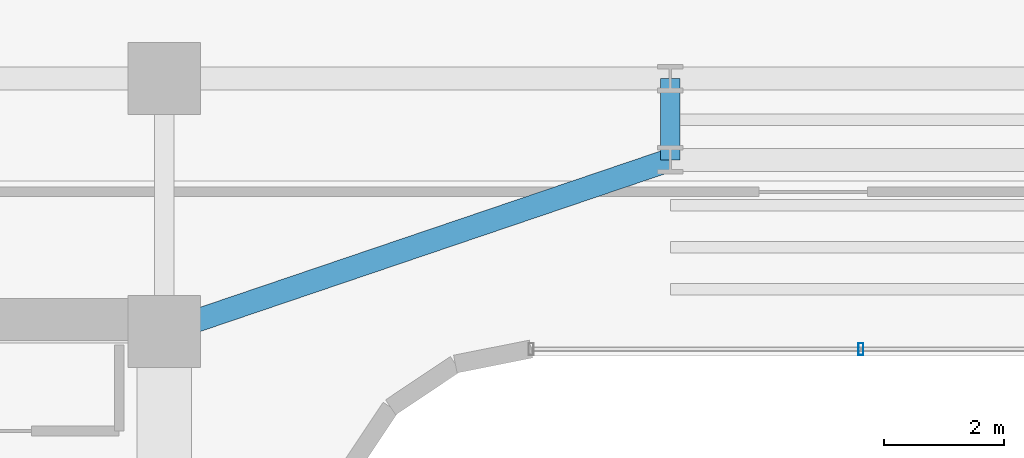
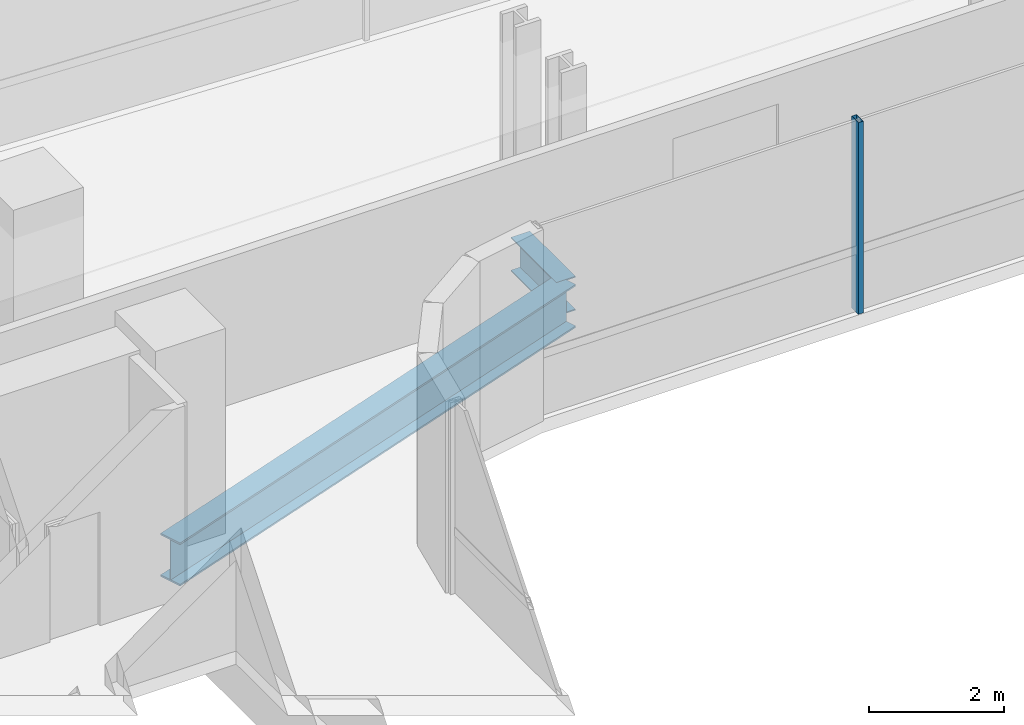
# One storey, part 11 of 35: 2 beams, 1 member, 1 element without a shape of its own.
"""IFC4 building model written with IfcOpenShell, lengths in metres."""

from ifc_helpers import new_model, si_unit, direction, frame, origin, origin_2d, place, context, subcontext, project, spatial, hollow_rectangle, i_section, extrude, source, transform, mapped, material, material_profile, profile_set, type_object, element, aggregate, save


model = new_model("IFC4")

# Units and contexts
model_context = context("Model", 3, precision=1e-05, world=origin(), true_north=direction((0.0, 1.0)))
body_context = subcontext(model_context, "Body", "Model", "MODEL_VIEW")
ifc_project = project(units=[si_unit("LENGTHUNIT", "METRE"), si_unit("AREAUNIT", "SQUARE_METRE"), si_unit("VOLUMEUNIT", "CUBIC_METRE"), si_unit("PLANEANGLEUNIT", "RADIAN"), si_unit("MASSUNIT", "GRAM", prefix="KILO")], contexts=[model_context])

# Site, building, storey
site_placement = place(None, origin())
site = spatial("IfcSite", under=ifc_project, at=site_placement, CompositionType="ELEMENT")
building_placement = place(site_placement, origin())
building = spatial("IfcBuilding", under=site, at=building_placement, Name="Valdorenza Pilgrim Sanctuary Tower", CompositionType="ELEMENT")
storey_placement = place(building_placement, frame((0.0, 0.0, 150.10009765625)))
storey = spatial("IfcBuildingStorey", under=building, at=storey_placement, Name="L38", CompositionType="ELEMENT", Elevation=150.10009765625)

# Beams
ifc_material_1 = material(Name="Steel ASTM A992 Grade 50", Category="steel")
ifc_material_profile_1 = material_profile(ifc_material_1, i_section(OverallWidth=0.323974609375, OverallDepth=0.611083984375, WebThickness=0.0126953125, FlangeThickness=0.01904296875, at=origin_2d()), Name="W24X104")
ifc_profile_set_1 = profile_set([ifc_material_profile_1], Name="Steel ASTM A992 Grade 50")
beam_type_1 = type_object("IfcBeamType", Name="STR-BM-GRD-W24B", PredefinedType="BEAM", material=ifc_profile_set_1)
shared_shape_1 = source(origin(), body_context, "Body", "SweptSolid", [
    extrude(i_section(OverallWidth=0.323974609375, OverallDepth=0.611083984375, WebThickness=0.0126953125, FlangeThickness=0.01904296875, at=origin_2d()), origin(), (0.0, 0.0, 1.0), 1.35009765625),
])
beam_1_placement = place(storey_placement, frame((-4.0, 13.449951171875, -0.545654296875), z_axis=(0.0, 1.0, 0.0), x_axis=(-1.0, 0.0, 0.0)))
element("IfcBeam", 1, at=beam_1_placement, inside=storey, type_object=beam_type_1, Name="L38 Floor Girder KNK-TIE-W", PredefinedType="BEAM", context=body_context, shape_type="MappedRepresentation", body=[
    mapped(shared_shape_1, transform((0.0, 0.0, 0.0), x_axis=(1.0, 0.0, 0.0), y_axis=(0.0, 1.0, 0.0), z_axis=(0.0, 0.0, 1.0), scale=1.0)),
])
ifc_material_profile_2 = material_profile(ifc_material_1, i_section(OverallWidth=0.382080078125, OverallDepth=0.779052734375, WebThickness=0.01806640625, FlangeThickness=0.030029296875, at=origin_2d()), Name="W30X191")
ifc_profile_set_2 = profile_set([ifc_material_profile_2], Name="Steel ASTM A992 Grade 50")
beam_type_2 = type_object("IfcBeamType", Name="STR-BM-GRD-W30", PredefinedType="BEAM", material=ifc_profile_set_2)
shared_shape_2 = source(origin(), body_context, "Body", "SweptSolid", [
    extrude(i_section(OverallWidth=0.382080078125, OverallDepth=0.779052734375, WebThickness=0.01806640625, FlangeThickness=0.030029296875, at=origin_2d()), origin(), (0.0, 0.0, 1.0), 8.8701171875),
])
beam_2_placement = place(storey_placement, frame((-12.39990234375, 10.60009765625, -0.629638671875), z_axis=(0.946982588361, 0.321284885018, 0.0), x_axis=(-0.321284885018, 0.946982588361, 0.0)))
element("IfcBeam", 2, at=beam_2_placement, inside=storey, type_object=beam_type_2, Name="L38 Floor Girder KNK-G1", PredefinedType="BEAM", context=body_context, shape_type="MappedRepresentation", body=[
    mapped(shared_shape_2, transform((0.0, 0.0, 0.0), x_axis=(1.0, 0.0, 0.0), y_axis=(0.0, 1.0, 0.0), z_axis=(0.0, 0.0, 1.0), scale=1.0)),
])

# Curtain wall, member
ifc_material_2 = material(Name="Curtain-wall IGU glazing", Category="glass")
curtain_wall_type = type_object("IfcCurtainWallType", Name="CW-SYS-02", PredefinedType="NOTDEFINED", material=ifc_material_2)
curtain_wall_placement = place(storey_placement, origin())
curtain_wall = element("IfcCurtainWall", 3, at=curtain_wall_placement, inside=storey, type_object=curtain_wall_type, Name="L38 Curtain Wall CW-L38-1-36", PredefinedType="NOTDEFINED")
ifc_material_3 = material(Name="Anodised aluminium AW-6060", Category="aluminium")
ifc_material_profile_3 = material_profile(ifc_material_3, hollow_rectangle(XDim=0.0849609375, YDim=0.199951171875, WallThickness=0.0048828125, at=origin_2d()), Name="ALU-M 200x85x5")
ifc_profile_set_3 = profile_set([ifc_material_profile_3], Name="Anodised aluminium AW-6060")
member_type = type_object("IfcMemberType", Name="CW-MUL-02", PredefinedType="MULLION", material=ifc_profile_set_3)
shared_shape_3 = source(origin(), body_context, "Body", "SweptSolid", [
    extrude(hollow_rectangle(XDim=0.0849609375, YDim=0.199951171875, WallThickness=0.0048828125, at=origin_2d()), origin(), (0.0, 0.0, 1.0), 3.4599609375),
])
member_placement = place(storey_placement, frame((-0.8369140625, 10.31005859375, 0.0), z_axis=(0.0, 0.0, 1.0), x_axis=(-1.0, 0.0, 0.0)))
member = element("IfcMember", 4, at=member_placement, type_object=member_type, Name="CW-L38-1-36 Mullion 3", PredefinedType="MULLION", context=body_context, shape_type="MappedRepresentation", body=[
    mapped(shared_shape_3, transform((0.0, 0.0, 0.0), x_axis=(1.0, 0.0, 0.0), y_axis=(0.0, 1.0, 0.0), z_axis=(0.0, 0.0, 1.0), scale=1.0)),
])
aggregate(curtain_wall, [member])

save(model, "model.ifc")
